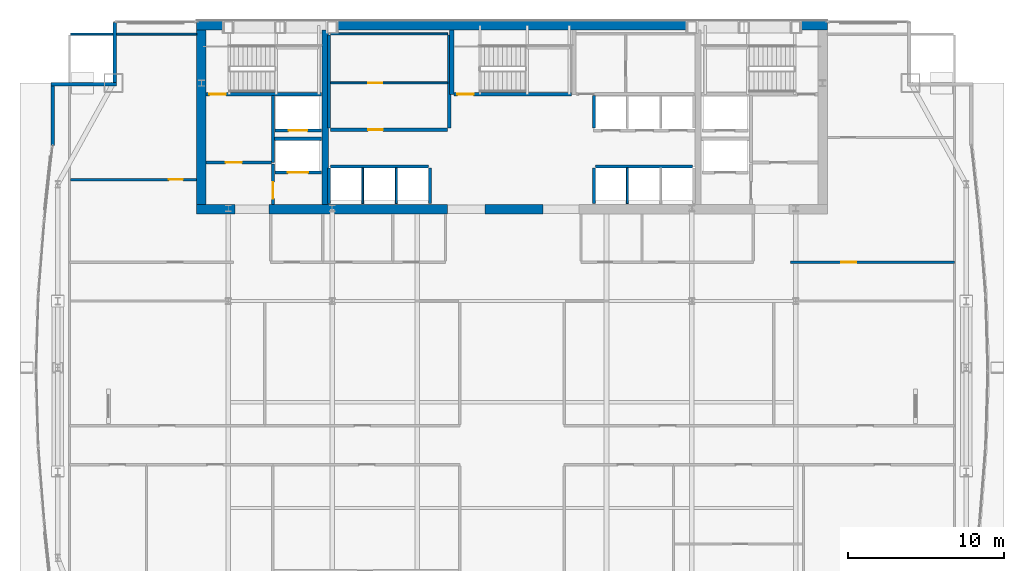
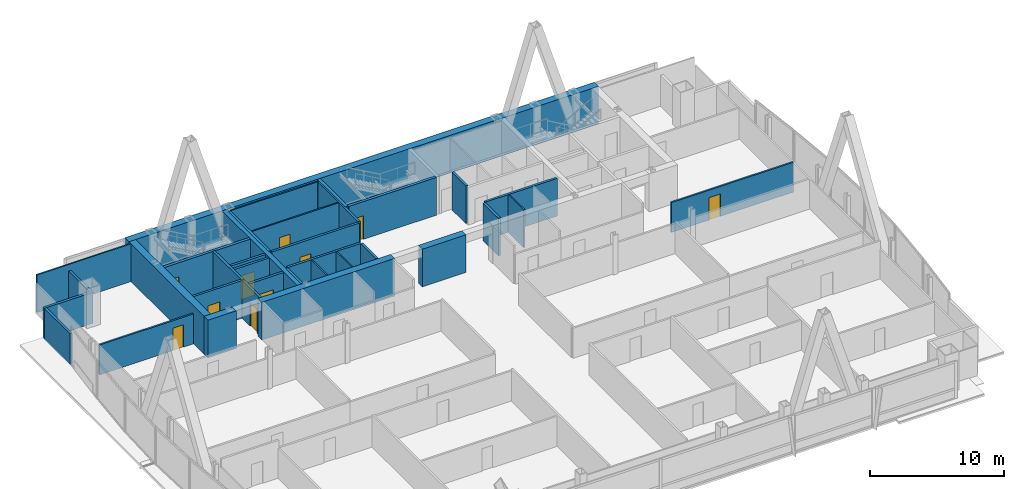
# One storey, part 28 of 32: 35 walls, 10 doors, 10 openings.
"""IFC4 building model written with IfcOpenShell, lengths in metres."""

from ifc_helpers import new_model, si_unit, direction, frame, frame_2d, origin, place, context, subcontext, project, spatial, rectangle, extrude, material, layer, layer_set, type_object, element, fill, save


model = new_model("IFC4")

# Units and contexts
model_context = context("Model", 3, precision=1e-05, world=origin(), true_north=direction((0.0, 1.0)))
body_context = subcontext(model_context, "Body", "Model", "MODEL_VIEW")
ifc_project = project(units=[si_unit("LENGTHUNIT", "METRE"), si_unit("AREAUNIT", "SQUARE_METRE"), si_unit("VOLUMEUNIT", "CUBIC_METRE"), si_unit("PLANEANGLEUNIT", "RADIAN"), si_unit("MASSUNIT", "GRAM", prefix="KILO")], contexts=[model_context])

# Site, building, storey
site_placement = place(None, origin())
site = spatial("IfcSite", under=ifc_project, at=site_placement, CompositionType="ELEMENT")
building_placement = place(site_placement, origin())
building = spatial("IfcBuilding", under=site, at=building_placement, Name="Khoronbel Lancet Exchange", CompositionType="ELEMENT")
storey_placement = place(building_placement, frame((0.0, 0.0, 188.60009765625)))
storey = spatial("IfcBuildingStorey", under=building, at=storey_placement, Name="L47", CompositionType="ELEMENT", Elevation=188.60009765625)

# Walls
ifc_material_1 = material(Name="Concrete C60/75", Category="concrete")
ifc_layer_1 = layer(ifc_material_1, 0.60009765625, Name="Concrete C60/75")
ifc_layer_set_1 = layer_set([ifc_layer_1], Name="Concrete C60/75")
wall_type_1 = type_object("IfcWallType", Name="WL-CW3", PredefinedType="SHEAR", material=ifc_layer_set_1)
wall_1_placement = place(storey_placement, frame((16.199951171875, 53.39990234375, 0.0), z_axis=(0.0, 0.0, 1.0), x_axis=(1.0, 0.0, 0.0)))
element("IfcWall", 1, at=wall_1_placement, inside=storey, type_object=wall_type_1, Name="Level L47 rear core north shear wall", PredefinedType="SHEAR", context=body_context, shape_type="SweptSolid", body=[
    extrude(rectangle(XDim=40.5, YDim=0.60009765625, at=frame_2d((20.25, 0.0))), origin(), (0.0, 0.0, 1.0), 3.43994140625),
])
wall_2_placement = place(storey_placement, frame((16.5, 41.89990234375, 0.0), z_axis=(0.0, 0.0, 1.0), x_axis=(0.0, 1.0, 0.0)))
element("IfcWall", 2, at=wall_2_placement, inside=storey, type_object=wall_type_1, Name="Level L47 rear core west shear wall", PredefinedType="SHEAR", context=body_context, shape_type="SweptSolid", body=[
    extrude(rectangle(XDim=11.2001953125, YDim=0.60009765625, at=frame_2d((5.60009765625, 0.0))), origin(), (0.0, 0.0, 1.0), 3.43994140625),
])
wall_3_placement = place(storey_placement, frame((18.64990234375, 41.60009765625, 0.0), z_axis=(0.0, 0.0, 1.0), x_axis=(-1.0, 0.0, 0.0)))
element("IfcWall", 3, at=wall_3_placement, inside=storey, type_object=wall_type_1, Name="Level L47 rear core south shear wall pier P1", PredefinedType="SHEAR", context=body_context, shape_type="SweptSolid", body=[
    extrude(rectangle(XDim=2.449951171875, YDim=0.60009765625, at=frame_2d((1.22509765625, 0.0))), origin(), (0.0, 0.0, 1.0), 3.43994140625),
])
wall_4_placement = place(storey_placement, frame((32.300048828125, 41.60009765625, 0.0), z_axis=(0.0, 0.0, 1.0), x_axis=(-1.0, 0.0, 0.0)))
element("IfcWall", 4, at=wall_4_placement, inside=storey, type_object=wall_type_1, Name="Level L47 rear core south shear wall pier P2", PredefinedType="SHEAR", context=body_context, shape_type="SweptSolid", body=[
    extrude(rectangle(XDim=11.449951171875, YDim=0.60009765625, at=frame_2d((5.72509765625, 0.0))), origin(), (0.0, 0.0, 1.0), 3.43994140625),
])
wall_5_placement = place(storey_placement, frame((38.449951171875, 41.60009765625, 0.0), z_axis=(0.0, 0.0, 1.0), x_axis=(-1.0, 0.0, 0.0)))
element("IfcWall", 5, at=wall_5_placement, inside=storey, type_object=wall_type_1, Name="Level L47 rear core south shear wall pier P3", PredefinedType="SHEAR", context=body_context, shape_type="SweptSolid", body=[
    extrude(rectangle(XDim=3.75, YDim=0.60009765625, at=frame_2d((1.875, 0.0))), origin(), (0.0, 0.0, 1.0), 3.43994140625),
])
ifc_material_2 = material(Name="Precast concrete C40/50", Category="concrete")
ifc_layer_2 = layer(ifc_material_2, 0.25, Name="Precast concrete C40/50")
ifc_layer_set_2 = layer_set([ifc_layer_2], Name="Precast concrete C40/50")
wall_type_2 = type_object("IfcWallType", Name="WL-EXT250", PredefinedType="SOLIDWALL", material=ifc_layer_set_2)
wall_6_placement = place(storey_placement, frame((6.93994140625, 45.675048828125, 0.0), z_axis=(0.0, 0.0, 1.0), x_axis=(0.0, 1.0, 0.0)))
element("IfcWall", 6, at=wall_6_placement, inside=storey, type_object=wall_type_2, Name="Level L47 notched-corner limestone pier 10", PredefinedType="SOLIDWALL", context=body_context, shape_type="SweptSolid", body=[
    extrude(rectangle(XDim=3.824951171875, YDim=0.219970703125, at=frame_2d((1.91259765625, 0.0))), origin(), (0.0, 0.0, 1.0), 2.829833984375),
])
wall_7_placement = place(storey_placement, frame((6.830078125, 49.610107421875, 0.0), z_axis=(0.0, 0.0, 1.0), x_axis=(1.0, 0.0, 0.0)))
element("IfcWall", 7, at=wall_7_placement, inside=storey, type_object=wall_type_2, Name="Level L47 notched-corner limestone pier 11", PredefinedType="SOLIDWALL", context=body_context, shape_type="SweptSolid", body=[
    extrude(rectangle(XDim=4.219970703125, YDim=0.219970703125, at=frame_2d((2.10986328125, 0.0))), origin(), (0.0, 0.0, 1.0), 2.829833984375),
])
wall_8_placement = place(storey_placement, frame((10.93994140625, 49.719970703125, 0.0), z_axis=(0.0, 0.0, 1.0), x_axis=(0.0, 1.0, 0.0)))
element("IfcWall", 8, at=wall_8_placement, inside=storey, type_object=wall_type_2, Name="Level L47 notched-corner limestone pier 12", PredefinedType="SOLIDWALL", context=body_context, shape_type="SweptSolid", body=[
    extrude(rectangle(XDim=3.909912109375, YDim=0.219970703125, at=frame_2d((1.955078125, 0.0))), origin(), (0.0, 0.0, 1.0), 2.829833984375),
])

# Wall, opening, door
ifc_material_3 = material(Name="Acoustic Metal-Stud & Mineral-Wool Gypsum Partition 120 mm", Category="gypsum")
ifc_layer_3 = layer(ifc_material_3, 0.1201171875, Name="Acoustic Metal-Stud & Mineral-Wool Gypsum Partition 120 mm")
ifc_layer_set_3 = layer_set([ifc_layer_3], Name="Acoustic Metal-Stud & Mineral-Wool Gypsum Partition 120 mm")
wall_type_3 = type_object("IfcWallType", Name="WL-PRT120", PredefinedType="PARTITIONING", material=ifc_layer_set_3)
wall_9_placement = place(storey_placement, frame((8.094970703125, 43.5, 0.0), z_axis=(0.0, 0.0, 1.0), x_axis=(1.0, 0.0, 0.0)))
wall_9 = element("IfcWall", 9, at=wall_9_placement, inside=storey, type_object=wall_type_3, Name="Level L47 interior partition PW-NW-H", PredefinedType="PARTITIONING", context=body_context, shape_type="SweptSolid", body=[
    extrude(rectangle(XDim=8.10498046875, YDim=0.14990234375, at=frame_2d((4.052490234375, 0.0))), origin(), (0.0, 0.0, 1.0), 2.72998046875),
])
opening_1_placement = place(wall_9_placement, frame((6.320068359375, 0.0, 0.0)))
opening_1 = element("IfcOpeningElement", 10, at=opening_1_placement, cuts=wall_9, Name="Opening D5", PredefinedType="OPENING", context=body_context, shape_type="SweptSolid", body=[
    extrude(rectangle(XDim=0.89990234375, YDim=2.050048828125, at=frame_2d((0.449951171875, 1.02490234375))), frame((0.0, 0.0849609375, 0.0), z_axis=(0.0, -1.0, 0.0), x_axis=(1.0, 0.0, 0.0)), (0.0, 0.0, 1.0), 0.169921875),
])
ifc_material_4 = material(Name="Acoustic Timber Pantry & Support Door", Category="wood")
door_type_1 = type_object("IfcDoorType", Name="DR-D5", OperationType="NOTDEFINED", PredefinedType="DOOR", material=ifc_material_4)
door_1_placement = place(opening_1_placement, origin())
door_1 = element("IfcDoor", 11, at=door_1_placement, inside=storey, type_object=door_type_1, Name="NW north room door L47-1", OperationType="SINGLE_SWING_RIGHT", OverallHeight=2.050048828125, OverallWidth=0.89990234375, PredefinedType="DOOR", context=body_context, shape_type="SweptSolid", body=[
    extrude(rectangle(XDim=0.89990234375, YDim=2.050048828125, at=frame_2d((0.449951171875, 1.02490234375))), frame((0.0, 0.02490234375, 0.0), z_axis=(0.0, -1.0, 0.0), x_axis=(1.0, 0.0, 0.0)), (0.0, 0.0, 1.0), 0.050048828125),
])
fill(opening_1, door_1)

# Walls
wall_10_placement = place(storey_placement, frame((8.094970703125, 52.840087890625, 0.0), z_axis=(0.0, 0.0, 1.0), x_axis=(1.0, 0.0, 0.0)))
element("IfcWall", 12, at=wall_10_placement, inside=storey, type_object=wall_type_3, Name="Level L47 interior partition PW-LIN-NW", PredefinedType="PARTITIONING", context=body_context, shape_type="SweptSolid", body=[
    extrude(rectangle(XDim=8.10498046875, YDim=0.1201171875, at=frame_2d((4.052490234375, 0.0))), origin(), (0.0, 0.0, 1.0), 3.43994140625),
])
ifc_material_5 = material(Name="Fire-Rated Metal-Stud & Mineral-Wool Gypsum Partition 120 mm", Category="gypsum")
ifc_layer_4 = layer(ifc_material_5, 0.1201171875, Name="Fire-Rated Metal-Stud & Mineral-Wool Gypsum Partition 120 mm")
ifc_layer_set_4 = layer_set([ifc_layer_4], Name="Fire-Rated Metal-Stud & Mineral-Wool Gypsum Partition 120 mm")
wall_type_4 = type_object("IfcWallType", Name="WL-PRT120F", PredefinedType="PARTITIONING", material=ifc_layer_set_4)
wall_11_placement = place(storey_placement, frame((24.804931640625, 52.860107421875, 0.0), z_axis=(0.0, 0.0, 1.0), x_axis=(1.0, 0.0, 0.0)))
element("IfcWall", 13, at=wall_11_placement, inside=storey, type_object=wall_type_4, Name="Level L47 interior partition CW-PL-RN", PredefinedType="PARTITIONING", context=body_context, shape_type="SweptSolid", body=[
    extrude(rectangle(XDim=7.510009765625, YDim=0.1201171875, at=frame_2d((3.7548828125, 0.0))), origin(), (0.0, 0.0, 1.0), 3.43994140625),
])

# Wall, opening, door
wall_12_placement = place(storey_placement, frame((24.804931640625, 49.708740234375, 0.0), z_axis=(0.0, 0.0, 1.0), x_axis=(1.0, 0.0, 0.0)))
wall_12 = element("IfcWall", 14, at=wall_12_placement, inside=storey, type_object=wall_type_4, Name="Level L47 interior partition CW-PL-RH", PredefinedType="PARTITIONING", context=body_context, shape_type="SweptSolid", body=[
    extrude(rectangle(XDim=7.510009765625, YDim=0.1201171875, at=frame_2d((3.7548828125, 0.0))), origin(), (0.0, 0.0, 1.0), 3.43994140625),
])
opening_2_placement = place(wall_12_placement, frame((2.39990234375, 0.0, 0.0)))
opening_2 = element("IfcOpeningElement", 15, at=opening_2_placement, cuts=wall_12, Name="Opening FD4", PredefinedType="OPENING", context=body_context, shape_type="SweptSolid", body=[
    extrude(rectangle(XDim=0.89990234375, YDim=2.050048828125, at=frame_2d((0.449951171875, 1.02490234375))), frame((0.0, 0.070068359375, 0.0), z_axis=(0.0, -1.0, 0.0), x_axis=(1.0, 0.0, 0.0)), (0.0, 0.0, 1.0), 0.14013671875),
])
ifc_material_6 = material(Name="Fire-Rated Steel Core Support Door Assembly", Category="steel")
door_type_2 = type_object("IfcDoorType", Name="DR-FD4", OperationType="NOTDEFINED", PredefinedType="DOOR", material=ifc_material_6)
door_2_placement = place(opening_2_placement, origin())
door_2 = element("IfcDoor", 16, at=door_2_placement, inside=storey, type_object=door_type_2, Name="Core PL inner store door L47-1", OperationType="SINGLE_SWING_LEFT", OverallHeight=2.050048828125, OverallWidth=0.89990234375, PredefinedType="DOOR", context=body_context, shape_type="SweptSolid", body=[
    extrude(rectangle(XDim=0.89990234375, YDim=2.050048828125, at=frame_2d((0.449951171875, 1.02490234375))), frame((0.0, 0.02490234375, 0.0), z_axis=(0.0, -1.0, 0.0), x_axis=(1.0, 0.0, 0.0)), (0.0, 0.0, 1.0), 0.050048828125),
])
fill(opening_2, door_2)

# Walls
for number, where, z_axis, x_axis, name in (
    (17, (26.860107421875, 41.949951171875, 0.0), (0.0, 0.0, 1.0), (0.0, 1.0, 0.0), "Level L47 interior partition CW-PM-D1"),
    (18, (29.02001953125, 41.949951171875, 0.0), (0.0, 0.0, 1.0), (0.0, 1.0, 0.0), "Level L47 interior partition CW-PM-D2"),
    (19, (43.860107421875, 41.949951171875, 0.0), (0.0, 0.0, 1.0), (0.0, 1.0, 0.0), "Level L47 interior partition CW-PX-D1"),
):
    element("IfcWall", number, at=place(storey_placement, frame(where, z_axis=z_axis, x_axis=x_axis)), inside=storey, type_object=wall_type_4, Name=name, PredefinedType="PARTITIONING", context=body_context, shape_type="SweptSolid", body=[
        extrude(rectangle(XDim=2.295166015625, YDim=0.1201171875, at=frame_2d((1.1474609375, 0.0))), origin(), (0.0, 0.0, 1.0), 3.43994140625),
    ])

# Wall, opening, door
ifc_material_7 = material(Name="Fire-Rated Twin-Stud Acoustic Gypsum Partition 150 mm", Category="gypsum")
ifc_layer_5 = layer(ifc_material_7, 0.14990234375, Name="Fire-Rated Twin-Stud Acoustic Gypsum Partition 150 mm")
ifc_layer_set_5 = layer_set([ifc_layer_5], Name="Fire-Rated Twin-Stud Acoustic Gypsum Partition 150 mm")
wall_type_5 = type_object("IfcWallType", Name="WL-PRT150C", PredefinedType="PARTITIONING", material=ifc_layer_set_5)
wall_13_placement = place(storey_placement, frame((54.35009765625, 38.199951171875, 0.0), z_axis=(0.0, 0.0, 1.0), x_axis=(1.0, 0.0, 0.0)))
wall_13 = element("IfcWall", 20, at=wall_13_placement, inside=storey, type_object=wall_type_5, Name="Level L47 interior partition PW-NE-S", PredefinedType="PARTITIONING", context=body_context, shape_type="SweptSolid", body=[
    extrude(rectangle(XDim=10.52001953125, YDim=0.14990234375, at=frame_2d((5.260009765625, 0.0))), origin(), (0.0, 0.0, 1.0), 2.72998046875),
])
opening_3_placement = place(wall_13_placement, frame((3.25, 0.0, 0.0)))
opening_3 = element("IfcOpeningElement", 21, at=opening_3_placement, cuts=wall_13, Name="Opening D1", PredefinedType="OPENING", context=body_context, shape_type="SweptSolid", body=[
    extrude(rectangle(XDim=0.949951171875, YDim=2.050048828125, at=frame_2d((0.47509765625, 1.02490234375))), frame((0.0, 0.0849609375, 0.0), z_axis=(0.0, -1.0, 0.0), x_axis=(1.0, 0.0, 0.0)), (0.0, 0.0, 1.0), 0.169921875),
])
ifc_material_8 = material(Name="Acoustic Veneered Timber & Bronze Frame Door", Category="wood")
door_type_3 = type_object("IfcDoorType", Name="DR-D1", OperationType="NOTDEFINED", PredefinedType="DOOR", material=ifc_material_8)
door_3_placement = place(opening_3_placement, origin())
door_3 = element("IfcDoor", 22, at=door_3_placement, inside=storey, type_object=door_type_3, Name="NE corner room door L47-1", OperationType="SINGLE_SWING_LEFT", OverallHeight=2.050048828125, OverallWidth=0.949951171875, PredefinedType="DOOR", context=body_context, shape_type="SweptSolid", body=[
    extrude(rectangle(XDim=0.949951171875, YDim=2.050048828125, at=frame_2d((0.47509765625, 1.02490234375))), frame((0.0, 0.02490234375, 0.0), z_axis=(0.0, -1.0, 0.0), x_axis=(1.0, 0.0, 0.0)), (0.0, 0.0, 1.0), 0.050048828125),
])
fill(opening_3, door_3)

ifc_material_9 = material(Name="Autoclaved Aerated Concrete Blockwork 200 mm", Category="masonry")
ifc_layer_6 = layer(ifc_material_9, 0.199951171875, Name="Autoclaved Aerated Concrete Blockwork 200 mm")
ifc_layer_set_6 = layer_set([ifc_layer_6], Name="Autoclaved Aerated Concrete Blockwork 200 mm")
wall_type_6 = type_object("IfcWallType", Name="WL-PRT200", PredefinedType="PARTITIONING", material=ifc_layer_set_6)
wall_14_placement = place(storey_placement, frame((24.2099609375, 43.949951171875, 0.0), z_axis=(0.0, 0.0, 1.0), x_axis=(-1.0, 0.0, 0.0)))
wall_14 = element("IfcWall", 23, at=wall_14_placement, inside=storey, type_object=wall_type_6, Name="Level L47 elevator hoistway landing front wall SVLW", PredefinedType="PARTITIONING", context=body_context, shape_type="SweptSolid", body=[
    extrude(rectangle(XDim=2.969970703125, YDim=0.199951171875, at=frame_2d((1.48486328125, 0.0))), origin(), (0.0, 0.0, 1.0), 3.43994140625),
])
opening_4_placement = place(wall_14_placement, frame((0.860107421875, 0.0, 0.0)))
opening_4 = element("IfcOpeningElement", 24, at=opening_4_placement, cuts=wall_14, Name="Opening LD-SVL1", PredefinedType="OPENING", context=body_context, shape_type="SweptSolid", body=[
    extrude(rectangle(XDim=1.300048828125, YDim=2.179931640625, at=frame_2d((0.64990234375, 1.08984375))), frame((0.0, 0.10986328125, 0.0), z_axis=(0.0, -1.0, 0.0), x_axis=(1.0, 0.0, 0.0)), (0.0, 0.0, 1.0), 0.219970703125),
])
ifc_material_10 = material(Name="Heavy-Duty Bi-Parting Goods Lift Landing Door", Category="steel")
door_type_4 = type_object("IfcDoorType", Name="DR-LD-SVL", OperationType="NOTDEFINED", PredefinedType="DOOR", material=ifc_material_10)
door_4_placement = place(opening_4_placement, origin())
door_4 = element("IfcDoor", 25, at=door_4_placement, inside=storey, type_object=door_type_4, Name="Elevator landing sliding door LD-SVL1 L47", OperationType="SLIDING_TO_LEFT", OverallHeight=2.179931640625, OverallWidth=1.300048828125, PredefinedType="DOOR", context=body_context, shape_type="SweptSolid", body=[
    extrude(rectangle(XDim=1.300048828125, YDim=2.179931640625, at=frame_2d((0.64990234375, 1.08984375))), frame((0.0, 0.02490234375, 0.0), z_axis=(0.0, -1.0, 0.0), x_axis=(1.0, 0.0, 0.0)), (0.0, 0.0, 1.0), 0.050048828125),
])
fill(opening_4, door_4)

wall_15_placement = place(storey_placement, frame((24.2099609375, 46.64990234375, 0.0), z_axis=(0.0, 0.0, 1.0), x_axis=(-1.0, 0.0, 0.0)))
wall_15 = element("IfcWall", 26, at=wall_15_placement, inside=storey, type_object=wall_type_6, Name="Level L47 elevator hoistway landing front wall FFLW", PredefinedType="PARTITIONING", context=body_context, shape_type="SweptSolid", body=[
    extrude(rectangle(XDim=2.969970703125, YDim=0.199951171875, at=frame_2d((1.48486328125, 0.0))), origin(), (0.0, 0.0, 1.0), 3.43994140625),
])
opening_5_placement = place(wall_15_placement, frame((0.909912109375, 0.0, 0.0)))
opening_5 = element("IfcOpeningElement", 27, at=opening_5_placement, cuts=wall_15, Name="Opening LD-FFL1", PredefinedType="OPENING", context=body_context, shape_type="SweptSolid", body=[
    extrude(rectangle(XDim=1.199951171875, YDim=2.179931640625, at=frame_2d((0.60009765625, 1.08984375))), frame((0.0, 0.10986328125, 0.0), z_axis=(0.0, -1.0, 0.0), x_axis=(1.0, 0.0, 0.0)), (0.0, 0.0, 1.0), 0.219970703125),
])
ifc_material_11 = material(Name="Fire-Rated Stainless Bi-Parting Firefighting Lift Door", Category="steel")
door_type_5 = type_object("IfcDoorType", Name="DR-LD-FFL", OperationType="NOTDEFINED", PredefinedType="DOOR", material=ifc_material_11)
door_5_placement = place(opening_5_placement, origin())
door_5 = element("IfcDoor", 28, at=door_5_placement, inside=storey, type_object=door_type_5, Name="Elevator landing sliding door LD-FFL1 L47", OperationType="SLIDING_TO_LEFT", OverallHeight=2.179931640625, OverallWidth=1.199951171875, PredefinedType="DOOR", context=body_context, shape_type="SweptSolid", body=[
    extrude(rectangle(XDim=1.199951171875, YDim=2.179931640625, at=frame_2d((0.60009765625, 1.08984375))), frame((0.0, 0.02490234375, 0.0), z_axis=(0.0, -1.0, 0.0), x_axis=(1.0, 0.0, 0.0)), (0.0, 0.0, 1.0), 0.050048828125),
])
fill(opening_5, door_5)

# Wall
wall_16_placement = place(storey_placement, frame((21.10009765625, 44.60009765625, 0.0), z_axis=(0.0, 0.0, 1.0), x_axis=(0.0, 1.0, 0.0)))
element("IfcWall", 29, at=wall_16_placement, inside=storey, type_object=wall_type_6, Name="Level L47 interior partition CW-FFLW-E", PredefinedType="PARTITIONING", context=body_context, shape_type="SweptSolid", body=[
    extrude(rectangle(XDim=4.2998046875, YDim=0.199951171875, at=frame_2d((2.14990234375, 0.0))), origin(), (0.0, 0.0, 1.0), 3.43994140625),
])

# Wall, opening, door
wall_17_placement = place(storey_placement, frame((16.800048828125, 44.60009765625, 0.0), z_axis=(0.0, 0.0, 1.0), x_axis=(1.0, 0.0, 0.0)))
wall_17 = element("IfcWall", 30, at=wall_17_placement, inside=storey, type_object=wall_type_6, Name="Level L47 interior partition CW-FFLW-S", PredefinedType="PARTITIONING", context=body_context, shape_type="SweptSolid", body=[
    extrude(rectangle(XDim=4.199951171875, YDim=0.199951171875, at=frame_2d((2.10009765625, 0.0))), origin(), (0.0, 0.0, 1.0), 3.43994140625),
])
opening_6_placement = place(wall_17_placement, frame((1.25, 0.0, 0.0)))
opening_6 = element("IfcOpeningElement", 31, at=opening_6_placement, cuts=wall_17, Name="Opening FD1", PredefinedType="OPENING", context=body_context, shape_type="SweptSolid", body=[
    extrude(rectangle(XDim=1.050048828125, YDim=2.14990234375, at=frame_2d((0.52490234375, 1.074951171875))), frame((0.0, 0.10986328125, 0.0), z_axis=(0.0, -1.0, 0.0), x_axis=(1.0, 0.0, 0.0)), (0.0, 0.0, 1.0), 0.219970703125),
])
ifc_material_12 = material(Name="Fire-Rated Painted Steel Door Assembly", Category="steel")
door_type_6 = type_object("IfcDoorType", Name="DR-FD1", OperationType="NOTDEFINED", PredefinedType="DOOR", material=ifc_material_12)
door_6_placement = place(opening_6_placement, origin())
door_6 = element("IfcDoor", 32, at=door_6_placement, inside=storey, type_object=door_type_6, Name="West firefighting lobby FD90S door L47-1", OperationType="SINGLE_SWING_LEFT", OverallHeight=2.14990234375, OverallWidth=1.050048828125, PredefinedType="DOOR", context=body_context, shape_type="SweptSolid", body=[
    extrude(rectangle(XDim=1.050048828125, YDim=2.14990234375, at=frame_2d((0.52490234375, 1.074951171875))), frame((0.0, 0.02490234375, 0.0), z_axis=(0.0, -1.0, 0.0), x_axis=(1.0, 0.0, 0.0)), (0.0, 0.0, 1.0), 0.050048828125),
])
fill(opening_6, door_6)

# Wall
wall_18_placement = place(storey_placement, frame((21.199951171875, 46.1201171875, 0.0), z_axis=(0.0, 0.0, 1.0), x_axis=(1.0, 0.0, 0.0)))
element("IfcWall", 33, at=wall_18_placement, inside=storey, type_object=wall_type_6, Name="Level L47 interior partition CW-FFL1-S", PredefinedType="PARTITIONING", context=body_context, shape_type="SweptSolid", body=[
    extrude(rectangle(XDim=3.02001953125, YDim=0.199951171875, at=frame_2d((1.510009765625, 0.0))), origin(), (0.0, 0.0, 1.0), 3.43994140625),
])

# Wall, opening, door
wall_19_placement = place(storey_placement, frame((21.10009765625, 41.89990234375, 0.0), z_axis=(0.0, 0.0, 1.0), x_axis=(0.0, 1.0, 0.0)))
wall_19 = element("IfcWall", 34, at=wall_19_placement, inside=storey, type_object=wall_type_6, Name="Level L47 interior partition CW-SVLW-W", PredefinedType="PARTITIONING", context=body_context, shape_type="SweptSolid", body=[
    extrude(rectangle(XDim=2.59521484375, YDim=0.199951171875, at=frame_2d((1.297607421875, 0.0))), origin(), (0.0, 0.0, 1.0), 3.43994140625),
])
opening_7_placement = place(wall_19_placement, frame((0.3798828125, 0.0, 0.0)))
opening_7 = element("IfcOpeningElement", 35, at=opening_7_placement, cuts=wall_19, Name="Opening FD1", PredefinedType="OPENING", context=body_context, shape_type="SweptSolid", body=[
    extrude(rectangle(XDim=1.050048828125, YDim=2.14990234375, at=frame_2d((0.52490234375, 1.074951171875))), frame((0.0, 0.10986328125, 0.0), z_axis=(0.0, -1.0, 0.0), x_axis=(1.0, 0.0, 0.0)), (0.0, 0.0, 1.0), 0.219970703125),
])
door_7_placement = place(opening_7_placement, origin())
door_7 = element("IfcDoor", 36, at=door_7_placement, inside=storey, type_object=door_type_6, Name="West service lift lobby door L47-1", OperationType="SINGLE_SWING_RIGHT", OverallHeight=2.14990234375, OverallWidth=1.050048828125, PredefinedType="DOOR", context=body_context, shape_type="SweptSolid", body=[
    extrude(rectangle(XDim=1.050048828125, YDim=2.14990234375, at=frame_2d((0.52490234375, 1.074951171875))), frame((0.0, 0.02490234375, 0.0), z_axis=(0.0, -1.0, 0.0), x_axis=(1.0, 0.0, 0.0)), (0.0, 0.0, 1.0), 0.050048828125),
])
fill(opening_7, door_7)

# Walls
for number, where, z_axis, x_axis, name in (
    (37, (24.699951171875, 46.804931640625, 0.0), (0.0, 0.0, 1.0), (0.0, 1.0, 0.0), "Level L47 interior partition CW-PL-RW"),
    (38, (32.419921875, 46.804931640625, 0.0), (0.0, 0.0, 1.0), (0.0, 1.0, 0.0), "Level L47 interior partition CW-PL-RE"),
):
    element("IfcWall", number, at=place(storey_placement, frame(where, z_axis=z_axis, x_axis=x_axis)), inside=storey, type_object=wall_type_6, Name=name, PredefinedType="PARTITIONING", context=body_context, shape_type="SweptSolid", body=[
        extrude(rectangle(XDim=5.989990234375, YDim=0.199951171875, at=frame_2d((2.9951171875, 0.0))), origin(), (0.0, 0.0, 1.0), 3.43994140625),
    ])

# Wall, opening, door
wall_20_placement = place(storey_placement, frame((24.804931640625, 46.699951171875, 0.0), z_axis=(0.0, 0.0, 1.0), x_axis=(1.0, 0.0, 0.0)))
wall_20 = element("IfcWall", 39, at=wall_20_placement, inside=storey, type_object=wall_type_6, Name="Level L47 interior partition CW-PL-RF", PredefinedType="PARTITIONING", context=body_context, shape_type="SweptSolid", body=[
    extrude(rectangle(XDim=7.510009765625, YDim=0.199951171875, at=frame_2d((3.7548828125, 0.0))), origin(), (0.0, 0.0, 1.0), 3.43994140625),
])
opening_8_placement = place(wall_20_placement, frame((2.39990234375, 0.0, 0.0)))
opening_8 = element("IfcOpeningElement", 40, at=opening_8_placement, cuts=wall_20, Name="Opening FD3", PredefinedType="OPENING", context=body_context, shape_type="SweptSolid", body=[
    extrude(rectangle(XDim=0.949951171875, YDim=2.10009765625, at=frame_2d((0.47509765625, 1.050048828125))), frame((0.0, 0.10986328125, 0.0), z_axis=(0.0, -1.0, 0.0), x_axis=(1.0, 0.0, 0.0)), (0.0, 0.0, 1.0), 0.219970703125),
])
ifc_material_13 = material(Name="Fire-Rated Steel Plant & Riser Door Assembly", Category="steel")
door_type_7 = type_object("IfcDoorType", Name="DR-FD3", OperationType="NOTDEFINED", PredefinedType="DOOR", material=ifc_material_13)
door_8_placement = place(opening_8_placement, origin())
door_8 = element("IfcDoor", 41, at=door_8_placement, inside=storey, type_object=door_type_7, Name="Core PL merged gallery room door L47-1", OperationType="SINGLE_SWING_RIGHT", OverallHeight=2.10009765625, OverallWidth=0.949951171875, PredefinedType="DOOR", context=body_context, shape_type="SweptSolid", body=[
    extrude(rectangle(XDim=0.949951171875, YDim=2.10009765625, at=frame_2d((0.47509765625, 1.050048828125))), frame((0.0, 0.02490234375, 0.0), z_axis=(0.0, -1.0, 0.0), x_axis=(1.0, 0.0, 0.0)), (0.0, 0.0, 1.0), 0.050048828125),
])
fill(opening_8, door_8)

# Walls
wall_21_placement = place(storey_placement, frame((24.804931640625, 44.35009765625, 0.0), z_axis=(0.0, 0.0, 1.0), x_axis=(1.0, 0.0, 0.0)))
element("IfcWall", 42, at=wall_21_placement, inside=storey, type_object=wall_type_6, Name="Level L47 interior partition CW-PM-EXP", PredefinedType="PARTITIONING", context=body_context, shape_type="SweptSolid", body=[
    extrude(rectangle(XDim=6.27001953125, YDim=0.199951171875, at=frame_2d((3.135009765625, 0.0))), origin(), (0.0, 0.0, 1.0), 3.43994140625),
])
for number, where, z_axis, x_axis, name in (
    (43, (24.699951171875, 41.949951171875, 0.0), (0.0, 0.0, 1.0), (0.0, 1.0, 0.0), "Level L47 interior partition CW-PM-W"),
    (44, (31.179931640625, 41.949951171875, 0.0), (0.0, 0.0, 1.0), (0.0, 1.0, 0.0), "Level L47 interior partition CW-PM-E"),
):
    element("IfcWall", number, at=place(storey_placement, frame(where, z_axis=z_axis, x_axis=x_axis)), inside=storey, type_object=wall_type_6, Name=name, PredefinedType="PARTITIONING", context=body_context, shape_type="SweptSolid", body=[
        extrude(rectangle(XDim=2.295166015625, YDim=0.199951171875, at=frame_2d((1.1474609375, 0.0))), origin(), (0.0, 0.0, 1.0), 3.43994140625),
    ])
wall_22_placement = place(storey_placement, frame((41.719970703125, 46.800048828125, 0.0), z_axis=(0.0, 0.0, 1.0), x_axis=(0.0, 1.0, 0.0)))
element("IfcWall", 45, at=wall_22_placement, inside=storey, type_object=wall_type_6, Name="Level L47 interior partition CW-PH-W", PredefinedType="PARTITIONING", context=body_context, shape_type="SweptSolid", body=[
    extrude(rectangle(XDim=2.094970703125, YDim=0.199951171875, at=frame_2d((1.04736328125, 0.0))), origin(), (0.0, 0.0, 1.0), 3.43994140625),
])
wall_23_placement = place(storey_placement, frame((41.824951171875, 44.35009765625, 0.0), z_axis=(0.0, 0.0, 1.0), x_axis=(1.0, 0.0, 0.0)))
element("IfcWall", 46, at=wall_23_placement, inside=storey, type_object=wall_type_6, Name="Level L47 interior partition CW-PX-EXP", PredefinedType="PARTITIONING", context=body_context, shape_type="SweptSolid", body=[
    extrude(rectangle(XDim=6.2099609375, YDim=0.199951171875, at=frame_2d((3.10498046875, 0.0))), origin(), (0.0, 0.0, 1.0), 3.43994140625),
])
wall_24_placement = place(storey_placement, frame((41.719970703125, 41.949951171875, 0.0), z_axis=(0.0, 0.0, 1.0), x_axis=(0.0, 1.0, 0.0)))
element("IfcWall", 47, at=wall_24_placement, inside=storey, type_object=wall_type_6, Name="Level L47 interior partition CW-PX-W", PredefinedType="PARTITIONING", context=body_context, shape_type="SweptSolid", body=[
    extrude(rectangle(XDim=2.295166015625, YDim=0.199951171875, at=frame_2d((1.1474609375, 0.0))), origin(), (0.0, 0.0, 1.0), 3.43994140625),
])
ifc_layer_7 = layer(ifc_material_1, 0.39990234375, Name="Concrete C60/75")
ifc_layer_set_7 = layer_set([ifc_layer_7], Name="Concrete C60/75")
wall_type_7 = type_object("IfcWallType", Name="WL-SW2", PredefinedType="SHEAR", material=ifc_layer_set_7)
wall_25_placement = place(storey_placement, frame((24.449951171875, 41.89990234375, 0.0), z_axis=(0.0, 0.0, 1.0), x_axis=(0.0, 1.0, 0.0)))
element("IfcWall", 48, at=wall_25_placement, inside=storey, type_object=wall_type_7, Name="Level L47 rear core internal spine shear wall IW", PredefinedType="SHEAR", context=body_context, shape_type="SweptSolid", body=[
    extrude(rectangle(XDim=11.2001953125, YDim=0.39990234375, at=frame_2d((5.60009765625, 0.0))), origin(), (0.0, 0.0, 1.0), 3.43994140625),
])
ifc_layer_8 = layer(ifc_material_1, 0.260009765625, Name="Concrete C60/75")
ifc_layer_set_8 = layer_set([ifc_layer_8], Name="Concrete C60/75")
wall_type_8 = type_object("IfcWallType", Name="WL-SW3", PredefinedType="SHEAR", material=ifc_layer_set_8)
wall_26_placement = place(storey_placement, frame((32.580078125, 48.949951171875, 0.0), z_axis=(0.0, 0.0, 1.0), x_axis=(0.0, 1.0, 0.0)))
element("IfcWall", 49, at=wall_26_placement, inside=storey, type_object=wall_type_8, Name="Level L47 central stairwell structural shear wall ST3W", PredefinedType="SHEAR", context=body_context, shape_type="SweptSolid", body=[
    extrude(rectangle(XDim=4.150146484375, YDim=0.260009765625, at=frame_2d((2.0751953125, 0.0))), origin(), (0.0, 0.0, 1.0), 3.43994140625),
])

# Wall, opening, door
wall_27_placement = place(storey_placement, frame((16.800048828125, 48.97998046875, 0.0), z_axis=(0.0, 0.0, 1.0), x_axis=(1.0, 0.0, 0.0)))
wall_27 = element("IfcWall", 50, at=wall_27_placement, inside=storey, type_object=wall_type_8, Name="Level L47 west stairwell structural south wall", PredefinedType="SHEAR", context=body_context, shape_type="SweptSolid", body=[
    extrude(rectangle(XDim=7.419921875, YDim=0.239990234375, at=frame_2d((3.7099609375, 0.0))), origin(), (0.0, 0.0, 1.0), 3.43994140625),
])
opening_9_placement = place(wall_27_placement, frame((0.219970703125, 0.0, 0.0)))
opening_9 = element("IfcOpeningElement", 51, at=opening_9_placement, cuts=wall_27, Name="Opening SD1", PredefinedType="OPENING", context=body_context, shape_type="SweptSolid", body=[
    extrude(rectangle(XDim=1.050048828125, YDim=2.14990234375, at=frame_2d((0.52490234375, 1.074951171875))), frame((0.0, 0.1298828125, 0.0), z_axis=(0.0, -1.0, 0.0), x_axis=(1.0, 0.0, 0.0)), (0.0, 0.0, 1.0), 0.260009765625),
])
ifc_material_14 = material(Name="Fire-Rated Steel Stairwell Door Assembly", Category="steel")
door_type_8 = type_object("IfcDoorType", Name="DR-SD1", OperationType="NOTDEFINED", PredefinedType="DOOR", material=ifc_material_14)
door_9_placement = place(opening_9_placement, origin())
door_9 = element("IfcDoor", 52, at=door_9_placement, inside=storey, type_object=door_type_8, Name="Protected exit stair ST1 door L47", OperationType="SINGLE_SWING_LEFT", OverallHeight=2.14990234375, OverallWidth=1.050048828125, PredefinedType="DOOR", context=body_context, shape_type="SweptSolid", body=[
    extrude(rectangle(XDim=1.050048828125, YDim=2.14990234375, at=frame_2d((0.52490234375, 1.074951171875))), frame((0.0, 0.02490234375, 0.0), z_axis=(0.0, -1.0, 0.0), x_axis=(1.0, 0.0, 0.0)), (0.0, 0.0, 1.0), 0.050048828125),
])
fill(opening_9, door_9)

wall_28_placement = place(storey_placement, frame((32.719970703125, 48.97998046875, 0.0), z_axis=(0.0, 0.0, 1.0), x_axis=(1.0, 0.0, 0.0)))
wall_28 = element("IfcWall", 53, at=wall_28_placement, inside=storey, type_object=wall_type_8, Name="Level L47 central stairwell structural south wall", PredefinedType="SHEAR", context=body_context, shape_type="SweptSolid", body=[
    extrude(rectangle(XDim=7.56005859375, YDim=0.239990234375, at=frame_2d((3.780029296875, 0.0))), origin(), (0.0, 0.0, 1.0), 3.43994140625),
])
opening_10_placement = place(wall_28_placement, frame((0.219970703125, 0.0, 0.0)))
opening_10 = element("IfcOpeningElement", 54, at=opening_10_placement, cuts=wall_28, Name="Opening SD1", PredefinedType="OPENING", context=body_context, shape_type="SweptSolid", body=[
    extrude(rectangle(XDim=1.050048828125, YDim=2.14990234375, at=frame_2d((0.52490234375, 1.074951171875))), frame((0.0, 0.1298828125, 0.0), z_axis=(0.0, -1.0, 0.0), x_axis=(1.0, 0.0, 0.0)), (0.0, 0.0, 1.0), 0.260009765625),
])
door_10_placement = place(opening_10_placement, origin())
door_10 = element("IfcDoor", 55, at=door_10_placement, inside=storey, type_object=door_type_8, Name="Protected exit stair ST3 door L47", OperationType="SINGLE_SWING_LEFT", OverallHeight=2.14990234375, OverallWidth=1.050048828125, PredefinedType="DOOR", context=body_context, shape_type="SweptSolid", body=[
    extrude(rectangle(XDim=1.050048828125, YDim=2.14990234375, at=frame_2d((0.52490234375, 1.074951171875))), frame((0.0, 0.02490234375, 0.0), z_axis=(0.0, -1.0, 0.0), x_axis=(1.0, 0.0, 0.0)), (0.0, 0.0, 1.0), 0.050048828125),
])
fill(opening_10, door_10)

save(model, "model.ifc")
